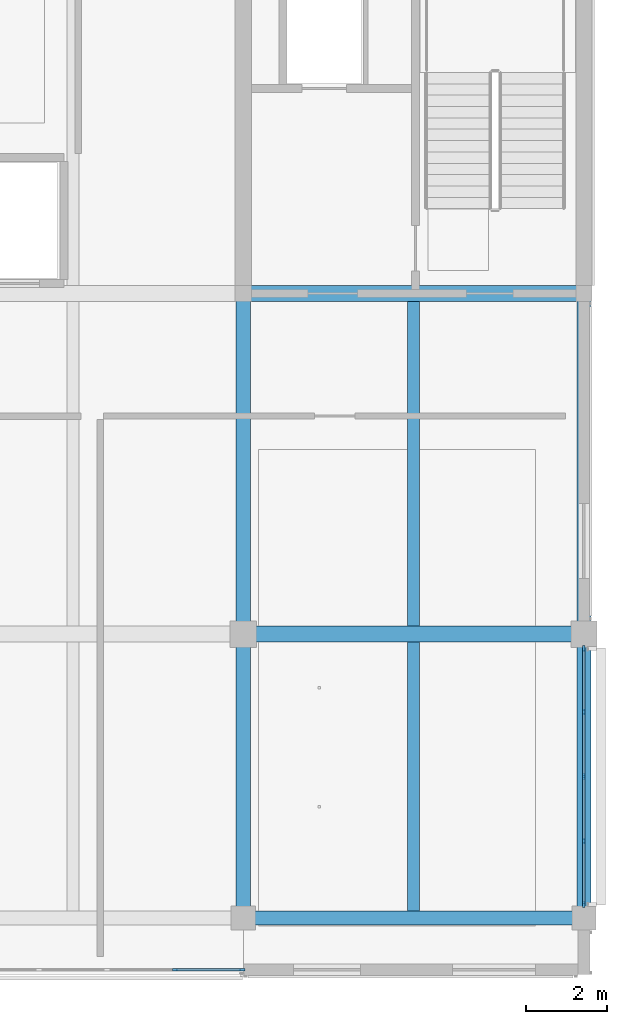
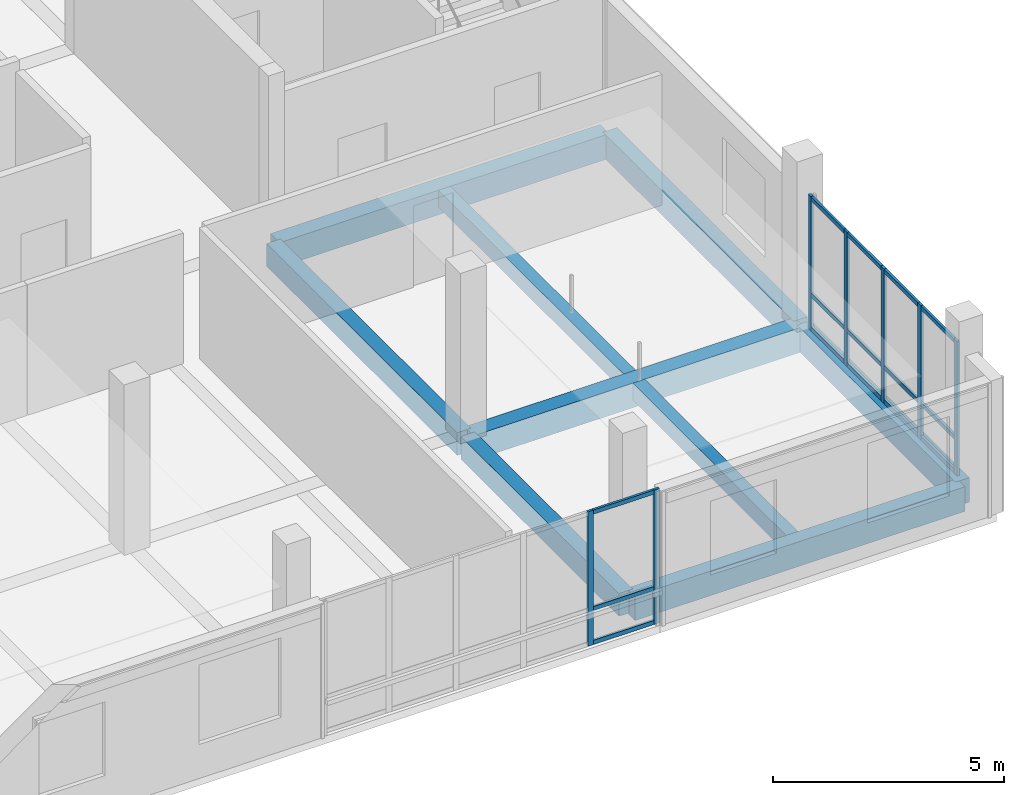
# One storey, part 6 of 30: 22 members, 9 beams, 2 elements without a shape of their own.
"""IFC4 building model written with IfcOpenShell, lengths in metres."""

from ifc_helpers import new_model, si_unit, direction, frame, origin, origin_2d, place, context, subcontext, project, spatial, rectangle, extrude, material, layer, layer_set, material_profile, profile_set, type_object, element, aggregate, save


model = new_model("IFC4")

# Units and contexts
model_context = context("Model", 3, precision=1e-05, world=origin(), true_north=direction((0.0, 1.0)))
body_context = subcontext(model_context, "Body", "Model", "MODEL_VIEW")
ifc_project = project(units=[si_unit("LENGTHUNIT", "METRE"), si_unit("AREAUNIT", "SQUARE_METRE"), si_unit("VOLUMEUNIT", "CUBIC_METRE"), si_unit("PLANEANGLEUNIT", "RADIAN"), si_unit("MASSUNIT", "GRAM", prefix="KILO")], contexts=[model_context])

# Site, building, storey
site_placement = place(None, origin())
site = spatial("IfcSite", under=ifc_project, at=site_placement, CompositionType="ELEMENT")
building_placement = place(site_placement, origin())
building = spatial("IfcBuilding", under=site, at=building_placement, Name="Telukmera Botanical Conservatory", CompositionType="ELEMENT")
storey_placement = place(building_placement, frame((0.0, 0.0, 60.0)))
storey = spatial("IfcBuildingStorey", under=building, at=storey_placement, Name="L13", CompositionType="ELEMENT", Elevation=60.0)

# Beams
ifc_material_1 = material(Name="Concrete C40/50", Category="concrete")
ifc_material_profile_1 = material_profile(ifc_material_1, rectangle(XDim=0.300048828125, YDim=0.449951171875, at=origin_2d()), Name="RC 300x450")
ifc_profile_set_1 = profile_set([ifc_material_profile_1], Name="Concrete C40/50")
beam_type_1 = type_object("IfcBeamType", Name="Beam_B25", PredefinedType="JOIST", material=ifc_profile_set_1)
beam_1_placement = place(storey_placement, frame((96.60009765625, 10.77490234375, -0.22509765625), z_axis=(0.0, 1.0, 0.0), x_axis=(-1.0, 0.0, 0.0)))
element("IfcBeam", 1, at=beam_1_placement, inside=storey, type_object=beam_type_1, Name="Tower Secondary Floor Joist L13", PredefinedType="JOIST", context=body_context, shape_type="SweptSolid", body=[
    extrude(rectangle(XDim=0.300048828125, YDim=0.449951171875, at=origin_2d()), origin(), (0.0, 0.0, 1.0), 6.625),
])
beam_2_placement = place(storey_placement, frame((96.60009765625, 17.800048828125, -0.22509765625), z_axis=(0.0, 1.0, 0.0), x_axis=(-1.0, 0.0, 0.0)))
element("IfcBeam", 2, at=beam_2_placement, inside=storey, type_object=beam_type_1, Name="Tower Secondary Floor Joist L13", PredefinedType="JOIST", context=body_context, shape_type="SweptSolid", body=[
    extrude(rectangle(XDim=0.300048828125, YDim=0.449951171875, at=origin_2d()), origin(), (0.0, 0.0, 1.0), 8.0),
])
ifc_material_profile_2 = material_profile(ifc_material_1, rectangle(XDim=0.39990234375, YDim=0.64990234375, at=origin_2d()), Name="RC 400x650")
ifc_profile_set_2 = profile_set([ifc_material_profile_2], Name="Concrete C40/50")
beam_type_2 = type_object("IfcBeamType", Name="Beam_B8", PredefinedType="BEAM", material=ifc_profile_set_2)
for number, where, z_axis, x_axis, name in (
    (3, (92.47998046875, 17.60009765625, -0.324951171875), (1.0, 0.0, 0.0), (0.0, 1.0, 0.0), "Tower Grid Beam L13"),
    (4, (92.47998046875, 26.0, -0.324951171875), (1.0, 0.0, 0.0), (0.0, 1.0, 0.0), "Tower Grid Beam L13"),
):
    element("IfcBeam", number, at=place(storey_placement, frame(where, z_axis=z_axis, x_axis=x_axis)), inside=storey, type_object=beam_type_2, Name=name, PredefinedType="BEAM", context=body_context, shape_type="SweptSolid", body=[
        extrude(rectangle(XDim=0.39990234375, YDim=0.64990234375, at=origin_2d()), origin(), (0.0, 0.0, 1.0), 8.239990234375),
    ])
ifc_material_profile_3 = material_profile(ifc_material_1, rectangle(XDim=0.35009765625, YDim=0.60009765625, at=origin_2d()), Name="RC 350x600")
ifc_profile_set_3 = profile_set([ifc_material_profile_3], Name="Concrete C40/50")
beam_type_3 = type_object("IfcBeamType", Name="Beam_B9", PredefinedType="BEAM", material=ifc_profile_set_3)
beam_3_placement = place(storey_placement, frame((92.39990234375, 10.679931640625, -0.300048828125), z_axis=(0.0, 1.0, 0.0), x_axis=(-1.0, 0.0, 0.0)))
element("IfcBeam", 5, at=beam_3_placement, inside=storey, type_object=beam_type_3, Name="Tower Transverse Beam L13", PredefinedType="BEAM", context=body_context, shape_type="SweptSolid", body=[
    extrude(rectangle(XDim=0.35009765625, YDim=0.60009765625, at=origin_2d()), origin(), (0.0, 0.0, 1.0), 6.840087890625),
])
beam_4_placement = place(storey_placement, frame((92.39990234375, 17.679931640625, -0.300048828125), z_axis=(0.0, 1.0, 0.0), x_axis=(-1.0, 0.0, 0.0)))
element("IfcBeam", 6, at=beam_4_placement, inside=storey, type_object=beam_type_3, Name="Tower Transverse Beam L13", PredefinedType="BEAM", context=body_context, shape_type="SweptSolid", body=[
    extrude(rectangle(XDim=0.35009765625, YDim=0.60009765625, at=origin_2d()), origin(), (0.0, 0.0, 1.0), 8.239990234375),
])
ifc_material_2 = material(Name="Precast concrete C40/50", Category="concrete")
ifc_material_profile_4 = material_profile(ifc_material_2, rectangle(XDim=0.35009765625, YDim=0.64990234375, at=origin_2d()), Name="PC 350x650")
ifc_profile_set_4 = profile_set([ifc_material_profile_4], Name="Precast concrete C40/50")
beam_type_4 = type_object("IfcBeamType", Name="Beam_SP3", PredefinedType="SPANDREL", material=ifc_profile_set_4)
beam_5_placement = place(storey_placement, frame((92.47998046875, 10.60009765625, -0.324951171875), z_axis=(1.0, 0.0, 0.0), x_axis=(0.0, 1.0, 0.0)))
element("IfcBeam", 7, at=beam_5_placement, inside=storey, type_object=beam_type_4, Name="Tower Grid Beam L13", PredefinedType="SPANDREL", context=body_context, shape_type="SweptSolid", body=[
    extrude(rectangle(XDim=0.35009765625, YDim=0.64990234375, at=origin_2d()), origin(), (0.0, 0.0, 1.0), 8.239990234375),
])
beam_6_placement = place(storey_placement, frame((100.800048828125, 10.679931640625, -0.324951171875), z_axis=(0.0, 1.0, 0.0), x_axis=(-1.0, 0.0, 0.0)))
element("IfcBeam", 8, at=beam_6_placement, inside=storey, type_object=beam_type_4, Name="Tower Transverse Beam L13", PredefinedType="SPANDREL", context=body_context, shape_type="SweptSolid", body=[
    extrude(rectangle(XDim=0.35009765625, YDim=0.64990234375, at=origin_2d()), origin(), (0.0, 0.0, 1.0), 6.840087890625),
])
beam_7_placement = place(storey_placement, frame((100.800048828125, 17.679931640625, -0.324951171875), z_axis=(0.0, 1.0, 0.0), x_axis=(-1.0, 0.0, 0.0)))
element("IfcBeam", 9, at=beam_7_placement, inside=storey, type_object=beam_type_4, Name="Tower Transverse Beam L13", PredefinedType="SPANDREL", context=body_context, shape_type="SweptSolid", body=[
    extrude(rectangle(XDim=0.35009765625, YDim=0.64990234375, at=origin_2d()), origin(), (0.0, 0.0, 1.0), 8.239990234375),
])

# Curtain wall, members
ifc_material_3 = material(Name="Anodised aluminium 6063-T6", Category="aluminium")
ifc_layer = layer(ifc_material_3, 0.179931640625)
ifc_layer_set = layer_set([ifc_layer], Name="Anodised aluminium 6063-T6")
curtain_wall_type = type_object("IfcCurtainWallType", Name="Tower Research Laboratory Unitised Curtain Wall", PredefinedType="USERDEFINED", material=ifc_layer_set)
curtain_wall_1_placement = place(storey_placement, origin())
curtain_wall_1 = element("IfcCurtainWall", 10, at=curtain_wall_1_placement, inside=storey, type_object=curtain_wall_type, Name="Unitised Curtain Wall CW15 V4:L13:S4", ObjectType="UNITISED CURTAIN WALL", PredefinedType="USERDEFINED")
ifc_material_profile_5 = material_profile(ifc_material_3, rectangle(XDim=0.06005859375, YDim=0.139892578125, at=origin_2d()), Name="ALU MULL 60x140")
ifc_profile_set_5 = profile_set([ifc_material_profile_5], Name="Anodised aluminium 6063-T6")
member_type_1 = type_object("IfcMemberType", Name="Curtain Wall Extruded Mullion 60x140", PredefinedType="MULLION", material=ifc_profile_set_5)
member_1_placement = place(storey_placement, frame((90.71875, 9.320068359375, 0.0), z_axis=(0.0, 0.0, 1.0), x_axis=(0.0, 1.0, 0.0)))
member_1 = element("IfcMember", 11, at=member_1_placement, type_object=member_type_1, Name="CW15 mullion 5", PredefinedType="MULLION", context=body_context, shape_type="SweptSolid", body=[
    extrude(rectangle(XDim=0.06005859375, YDim=0.139892578125, at=origin_2d()), origin(), (0.0, 0.0, 1.0), 3.550048828125),
])
member_2_placement = place(storey_placement, frame((92.367919921875, 9.320068359375, 0.0), z_axis=(0.0, 0.0, 1.0), x_axis=(0.0, 1.0, 0.0)))
member_2 = element("IfcMember", 12, at=member_2_placement, type_object=member_type_1, Name="CW15 mullion 6", PredefinedType="MULLION", context=body_context, shape_type="SweptSolid", body=[
    extrude(rectangle(XDim=0.06005859375, YDim=0.139892578125, at=origin_2d()), origin(), (0.0, 0.0, 1.0), 3.550048828125),
])

curtain_wall_2_placement = place(storey_placement, origin())
curtain_wall_2 = element("IfcCurtainWall", 13, at=curtain_wall_2_placement, inside=storey, type_object=curtain_wall_type, Name="Unitised Curtain Wall CW15 V4:L13:E1", ObjectType="UNITISED CURTAIN WALL", PredefinedType="USERDEFINED")
member_3_placement = place(storey_placement, frame((100.800048828125, 10.931884765625, 0.0), z_axis=(0.0, 0.0, 1.0), x_axis=(-1.0, 0.0, 0.0)))
member_3 = element("IfcMember", 14, at=member_3_placement, type_object=member_type_1, Name="CW15 mullion 1", PredefinedType="MULLION", context=body_context, shape_type="SweptSolid", body=[
    extrude(rectangle(XDim=0.06005859375, YDim=0.139892578125, at=origin_2d()), origin(), (0.0, 0.0, 1.0), 3.550048828125),
])
member_4_placement = place(storey_placement, frame((100.800048828125, 12.49462890625, 0.0), z_axis=(0.0, 0.0, 1.0), x_axis=(-1.0, 0.0, 0.0)))
member_4 = element("IfcMember", 15, at=member_4_placement, type_object=member_type_1, Name="CW15 mullion 2", PredefinedType="MULLION", context=body_context, shape_type="SweptSolid", body=[
    extrude(rectangle(XDim=0.06005859375, YDim=0.139892578125, at=origin_2d()), origin(), (0.0, 0.0, 1.0), 3.550048828125),
])
member_5_placement = place(storey_placement, frame((100.800048828125, 14.08740234375, 0.0), z_axis=(0.0, 0.0, 1.0), x_axis=(-1.0, 0.0, 0.0)))
member_5 = element("IfcMember", 16, at=member_5_placement, type_object=member_type_1, Name="CW15 mullion 3", PredefinedType="MULLION", context=body_context, shape_type="SweptSolid", body=[
    extrude(rectangle(XDim=0.06005859375, YDim=0.139892578125, at=origin_2d()), origin(), (0.0, 0.0, 1.0), 3.550048828125),
])
member_6_placement = place(storey_placement, frame((100.800048828125, 15.68017578125, 0.0), z_axis=(0.0, 0.0, 1.0), x_axis=(-1.0, 0.0, 0.0)))
member_6 = element("IfcMember", 17, at=member_6_placement, type_object=member_type_1, Name="CW15 mullion 4", PredefinedType="MULLION", context=body_context, shape_type="SweptSolid", body=[
    extrude(rectangle(XDim=0.06005859375, YDim=0.139892578125, at=origin_2d()), origin(), (0.0, 0.0, 1.0), 3.550048828125),
])
member_7_placement = place(storey_placement, frame((100.800048828125, 17.242919921875, 0.0), z_axis=(0.0, 0.0, 1.0), x_axis=(-1.0, 0.0, 0.0)))
member_7 = element("IfcMember", 18, at=member_7_placement, type_object=member_type_1, Name="CW15 mullion 5", PredefinedType="MULLION", context=body_context, shape_type="SweptSolid", body=[
    extrude(rectangle(XDim=0.06005859375, YDim=0.139892578125, at=origin_2d()), origin(), (0.0, 0.0, 1.0), 3.550048828125),
])

# Member
ifc_material_profile_6 = material_profile(ifc_material_3, rectangle(XDim=0.06005859375, YDim=0.110107421875, at=origin_2d()), Name="ALU TRAN 60x110")
ifc_profile_set_6 = profile_set([ifc_material_profile_6], Name="Anodised aluminium 6063-T6")
member_type_2 = type_object("IfcMemberType", Name="Curtain Wall Extruded Transom 60x110", PredefinedType="USERDEFINED", material=ifc_profile_set_6)
member_8_placement = place(storey_placement, frame((90.748779296875, 9.320068359375, 0.054931640625), z_axis=(1.0, 0.0, 0.0), x_axis=(0.0, 1.0, 0.0)))
member_8 = element("IfcMember", 19, at=member_8_placement, type_object=member_type_2, Name="CW15 transom 5.1", ObjectType="TRANSOM", PredefinedType="USERDEFINED", context=body_context, shape_type="SweptSolid", body=[
    extrude(rectangle(XDim=0.06005859375, YDim=0.110107421875, at=origin_2d()), origin(), (0.0, 0.0, 1.0), 1.589111328125),
])

member_9_placement = place(storey_placement, frame((90.748779296875, 9.320068359375, 0.949951171875), z_axis=(1.0, 0.0, 0.0), x_axis=(0.0, 1.0, 0.0)))
member_9 = element("IfcMember", 20, at=member_9_placement, type_object=member_type_2, Name="CW15 transom 5.2", ObjectType="TRANSOM", PredefinedType="USERDEFINED", context=body_context, shape_type="SweptSolid", body=[
    extrude(rectangle(XDim=0.06005859375, YDim=0.110107421875, at=origin_2d()), origin(), (0.0, 0.0, 1.0), 1.589111328125),
])

member_10_placement = place(storey_placement, frame((90.748779296875, 9.320068359375, 3.4951171875), z_axis=(1.0, 0.0, 0.0), x_axis=(0.0, 1.0, 0.0)))
member_10 = element("IfcMember", 21, at=member_10_placement, type_object=member_type_2, Name="CW15 transom 5.3", ObjectType="TRANSOM", PredefinedType="USERDEFINED", context=body_context, shape_type="SweptSolid", body=[
    extrude(rectangle(XDim=0.06005859375, YDim=0.110107421875, at=origin_2d()), origin(), (0.0, 0.0, 1.0), 1.589111328125),
])

aggregate(curtain_wall_1, [member_1, member_2, member_8, member_9, member_10])

member_11_placement = place(storey_placement, frame((100.800048828125, 10.9619140625, 0.054931640625), z_axis=(0.0, 1.0, 0.0), x_axis=(-1.0, 0.0, 0.0)))
member_11 = element("IfcMember", 22, at=member_11_placement, type_object=member_type_2, Name="CW15 transom 1.1", ObjectType="TRANSOM", PredefinedType="USERDEFINED", context=body_context, shape_type="SweptSolid", body=[
    extrude(rectangle(XDim=0.06005859375, YDim=0.110107421875, at=origin_2d()), origin(), (0.0, 0.0, 1.0), 1.5029296875),
])

member_12_placement = place(storey_placement, frame((100.800048828125, 10.9619140625, 0.949951171875), z_axis=(0.0, 1.0, 0.0), x_axis=(-1.0, 0.0, 0.0)))
member_12 = element("IfcMember", 23, at=member_12_placement, type_object=member_type_2, Name="CW15 transom 1.2", ObjectType="TRANSOM", PredefinedType="USERDEFINED", context=body_context, shape_type="SweptSolid", body=[
    extrude(rectangle(XDim=0.06005859375, YDim=0.110107421875, at=origin_2d()), origin(), (0.0, 0.0, 1.0), 1.5029296875),
])

member_13_placement = place(storey_placement, frame((100.800048828125, 10.9619140625, 3.4951171875), z_axis=(0.0, 1.0, 0.0), x_axis=(-1.0, 0.0, 0.0)))
member_13 = element("IfcMember", 24, at=member_13_placement, type_object=member_type_2, Name="CW15 transom 1.3", ObjectType="TRANSOM", PredefinedType="USERDEFINED", context=body_context, shape_type="SweptSolid", body=[
    extrude(rectangle(XDim=0.06005859375, YDim=0.110107421875, at=origin_2d()), origin(), (0.0, 0.0, 1.0), 1.5029296875),
])

member_14_placement = place(storey_placement, frame((100.800048828125, 12.524658203125, 0.054931640625), z_axis=(0.0, 1.0, 0.0), x_axis=(-1.0, 0.0, 0.0)))
member_14 = element("IfcMember", 25, at=member_14_placement, type_object=member_type_2, Name="CW15 transom 2.1", ObjectType="TRANSOM", PredefinedType="USERDEFINED", context=body_context, shape_type="SweptSolid", body=[
    extrude(rectangle(XDim=0.06005859375, YDim=0.110107421875, at=origin_2d()), origin(), (0.0, 0.0, 1.0), 1.532958984375),
])

member_15_placement = place(storey_placement, frame((100.800048828125, 12.524658203125, 0.949951171875), z_axis=(0.0, 1.0, 0.0), x_axis=(-1.0, 0.0, 0.0)))
member_15 = element("IfcMember", 26, at=member_15_placement, type_object=member_type_2, Name="CW15 transom 2.2", ObjectType="TRANSOM", PredefinedType="USERDEFINED", context=body_context, shape_type="SweptSolid", body=[
    extrude(rectangle(XDim=0.06005859375, YDim=0.110107421875, at=origin_2d()), origin(), (0.0, 0.0, 1.0), 1.532958984375),
])

member_16_placement = place(storey_placement, frame((100.800048828125, 12.524658203125, 3.4951171875), z_axis=(0.0, 1.0, 0.0), x_axis=(-1.0, 0.0, 0.0)))
member_16 = element("IfcMember", 27, at=member_16_placement, type_object=member_type_2, Name="CW15 transom 2.3", ObjectType="TRANSOM", PredefinedType="USERDEFINED", context=body_context, shape_type="SweptSolid", body=[
    extrude(rectangle(XDim=0.06005859375, YDim=0.110107421875, at=origin_2d()), origin(), (0.0, 0.0, 1.0), 1.532958984375),
])

member_17_placement = place(storey_placement, frame((100.800048828125, 14.117431640625, 0.054931640625), z_axis=(0.0, 1.0, 0.0), x_axis=(-1.0, 0.0, 0.0)))
member_17 = element("IfcMember", 28, at=member_17_placement, type_object=member_type_2, Name="CW15 transom 3.1", ObjectType="TRANSOM", PredefinedType="USERDEFINED", context=body_context, shape_type="SweptSolid", body=[
    extrude(rectangle(XDim=0.06005859375, YDim=0.110107421875, at=origin_2d()), origin(), (0.0, 0.0, 1.0), 1.53271484375),
])

member_18_placement = place(storey_placement, frame((100.800048828125, 14.117431640625, 0.949951171875), z_axis=(0.0, 1.0, 0.0), x_axis=(-1.0, 0.0, 0.0)))
member_18 = element("IfcMember", 29, at=member_18_placement, type_object=member_type_2, Name="CW15 transom 3.2", ObjectType="TRANSOM", PredefinedType="USERDEFINED", context=body_context, shape_type="SweptSolid", body=[
    extrude(rectangle(XDim=0.06005859375, YDim=0.110107421875, at=origin_2d()), origin(), (0.0, 0.0, 1.0), 1.53271484375),
])

member_19_placement = place(storey_placement, frame((100.800048828125, 14.117431640625, 3.4951171875), z_axis=(0.0, 1.0, 0.0), x_axis=(-1.0, 0.0, 0.0)))
member_19 = element("IfcMember", 30, at=member_19_placement, type_object=member_type_2, Name="CW15 transom 3.3", ObjectType="TRANSOM", PredefinedType="USERDEFINED", context=body_context, shape_type="SweptSolid", body=[
    extrude(rectangle(XDim=0.06005859375, YDim=0.110107421875, at=origin_2d()), origin(), (0.0, 0.0, 1.0), 1.53271484375),
])

member_20_placement = place(storey_placement, frame((100.800048828125, 15.710205078125, 0.054931640625), z_axis=(0.0, 1.0, 0.0), x_axis=(-1.0, 0.0, 0.0)))
member_20 = element("IfcMember", 31, at=member_20_placement, type_object=member_type_2, Name="CW15 transom 4.1", ObjectType="TRANSOM", PredefinedType="USERDEFINED", context=body_context, shape_type="SweptSolid", body=[
    extrude(rectangle(XDim=0.06005859375, YDim=0.110107421875, at=origin_2d()), origin(), (0.0, 0.0, 1.0), 1.502685546875),
])

member_21_placement = place(storey_placement, frame((100.800048828125, 15.710205078125, 0.949951171875), z_axis=(0.0, 1.0, 0.0), x_axis=(-1.0, 0.0, 0.0)))
member_21 = element("IfcMember", 32, at=member_21_placement, type_object=member_type_2, Name="CW15 transom 4.2", ObjectType="TRANSOM", PredefinedType="USERDEFINED", context=body_context, shape_type="SweptSolid", body=[
    extrude(rectangle(XDim=0.06005859375, YDim=0.110107421875, at=origin_2d()), origin(), (0.0, 0.0, 1.0), 1.502685546875),
])

member_22_placement = place(storey_placement, frame((100.800048828125, 15.710205078125, 3.4951171875), z_axis=(0.0, 1.0, 0.0), x_axis=(-1.0, 0.0, 0.0)))
member_22 = element("IfcMember", 33, at=member_22_placement, type_object=member_type_2, Name="CW15 transom 4.3", ObjectType="TRANSOM", PredefinedType="USERDEFINED", context=body_context, shape_type="SweptSolid", body=[
    extrude(rectangle(XDim=0.06005859375, YDim=0.110107421875, at=origin_2d()), origin(), (0.0, 0.0, 1.0), 1.502685546875),
])

aggregate(curtain_wall_2, [member_3, member_4, member_5, member_6, member_7, member_11, member_12, member_13, member_14, member_15, member_16, member_17, member_18, member_19, member_20, member_21, member_22])

save(model, "model.ifc")
